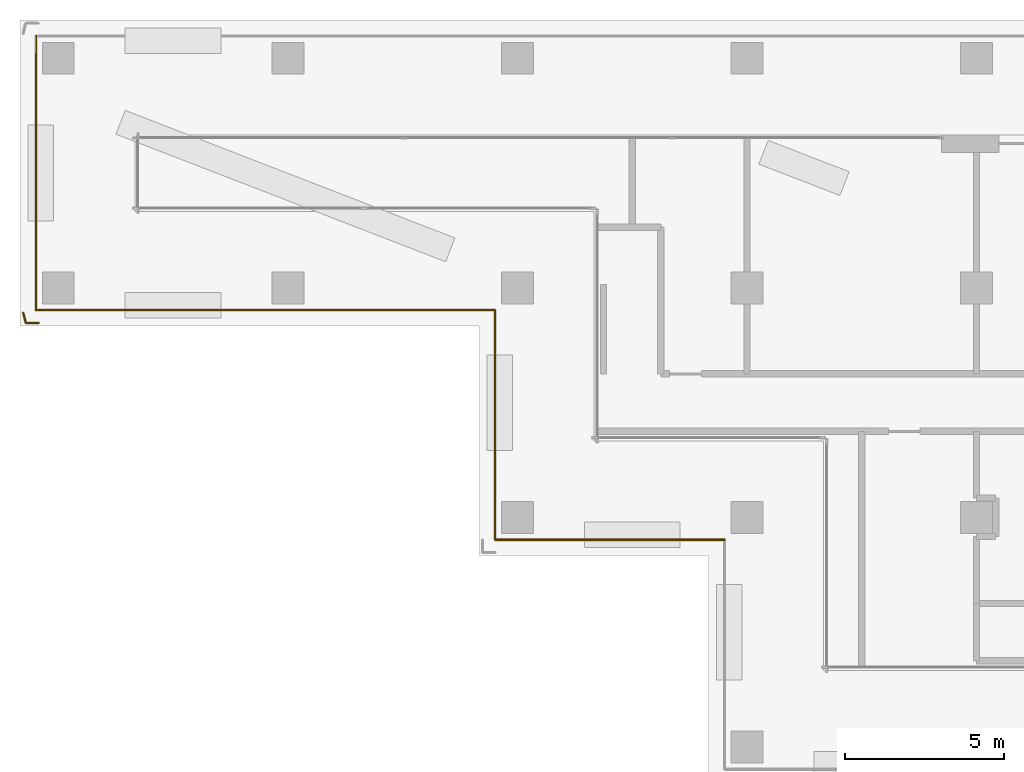
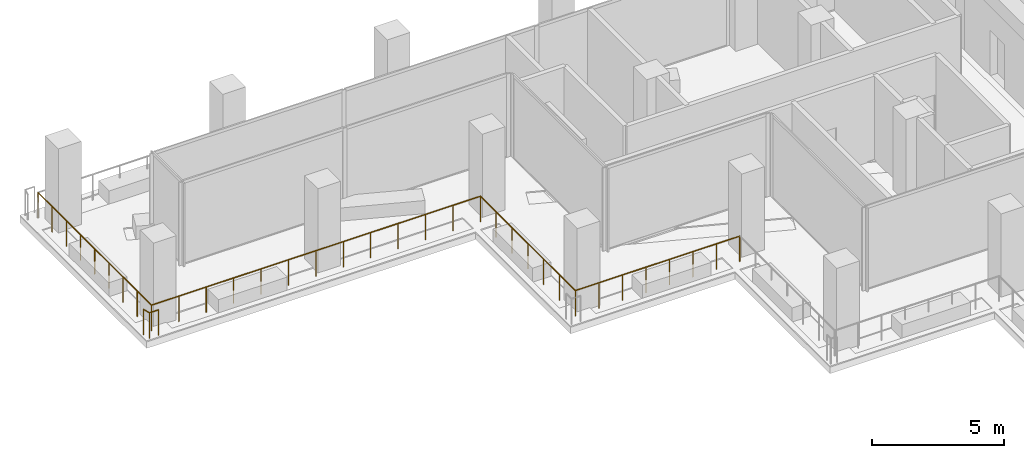
# One storey, part 15 of 21: 6 railings.
"""IFC4 building model written with IfcOpenShell, lengths in metres."""

from ifc_helpers import new_model, si_unit, direction, frame, origin, origin_2d, place, context, subcontext, project, spatial, circle, extrude, material, type_object, element, save


model = new_model("IFC4")

# Units and contexts
model_context = context("Model", 3, precision=1e-05, world=origin(), true_north=direction((0.0, 1.0)))
body_context = subcontext(model_context, "Body", "Model", "MODEL_VIEW")
ifc_project = project(units=[si_unit("LENGTHUNIT", "METRE"), si_unit("AREAUNIT", "SQUARE_METRE"), si_unit("VOLUMEUNIT", "CUBIC_METRE"), si_unit("PLANEANGLEUNIT", "RADIAN"), si_unit("MASSUNIT", "GRAM", prefix="KILO")], contexts=[model_context])

# Site, building, storey
site_placement = place(None, origin())
site = spatial("IfcSite", under=ifc_project, at=site_placement, CompositionType="ELEMENT")
building_placement = place(site_placement, origin())
building = spatial("IfcBuilding", under=site, at=building_placement, Name="Windrow Commons", CompositionType="ELEMENT")
storey_placement = place(building_placement, frame((0.0, 0.0, 131.2)))
storey = spatial("IfcBuildingStorey", under=building, at=storey_placement, Name="L35", CompositionType="ELEMENT", Elevation=131.2)

# Railings
ifc_material = material(Name="Stainless steel S316 balustrade with toughened glass infill", Category="steel")
railing_type = type_object("IfcRailingType", Name="Terrace guard 1200 podium", PredefinedType="BALUSTRADE", material=ifc_material)
railing_1_placement = place(storey_placement, frame((42.5, 56.9, 0.05)))
element("IfcRailing", 1, at=railing_1_placement, inside=storey, type_object=railing_type, Name="Guard TR-L35-1.E5", PredefinedType="BALUSTRADE", context=body_context, shape_type="SweptSolid", body=[
    extrude(circle(Radius=0.025, at=origin_2d()), frame((0.0, 0.0, 1.175), z_axis=(-1.0, 0.0, 0.0), x_axis=(0.0, -1.0, 0.0)), (0.0, 0.0, 1.0), 7.2),
    extrude(circle(Radius=0.02, at=origin_2d()), origin(), (0.0, 0.0, 1.0), 1.15),
    extrude(circle(Radius=0.02, at=origin_2d()), frame((-1.0286, 0.0, 0.0)), (0.0, 0.0, 1.0), 1.15),
    extrude(circle(Radius=0.02, at=origin_2d()), frame((-2.0571, 0.0, 0.0)), (0.0, 0.0, 1.0), 1.15),
    extrude(circle(Radius=0.02, at=origin_2d()), frame((-3.0857, 0.0, 0.0)), (0.0, 0.0, 1.0), 1.15),
    extrude(circle(Radius=0.02, at=origin_2d()), frame((-4.1143, 0.0, 0.0)), (0.0, 0.0, 1.0), 1.15),
    extrude(circle(Radius=0.02, at=origin_2d()), frame((-5.1429, 0.0, 0.0)), (0.0, 0.0, 1.0), 1.15),
    extrude(circle(Radius=0.02, at=origin_2d()), frame((-6.1714, 0.0, 0.0)), (0.0, 0.0, 1.0), 1.15),
    extrude(circle(Radius=0.02, at=origin_2d()), frame((-7.2, 0.0, 0.0)), (0.0, 0.0, 1.0), 1.15),
])
railing_2_placement = place(storey_placement, frame((35.3, 56.9, 0.05)))
element("IfcRailing", 2, at=railing_2_placement, inside=storey, type_object=railing_type, Name="Guard TR-L35-1.E6", PredefinedType="BALUSTRADE", context=body_context, shape_type="SweptSolid", body=[
    extrude(circle(Radius=0.025, at=origin_2d()), frame((0.0, 0.0, 1.175), z_axis=(0.0, 1.0, 0.0), x_axis=(-1.0, 0.0, 0.0)), (0.0, 0.0, 1.0), 7.2),
    extrude(circle(Radius=0.02, at=origin_2d()), origin(), (0.0, 0.0, 1.0), 1.15),
    extrude(circle(Radius=0.02, at=origin_2d()), frame((0.0, 1.2, 0.0)), (0.0, 0.0, 1.0), 1.15),
    extrude(circle(Radius=0.02, at=origin_2d()), frame((0.0, 2.4, 0.0)), (0.0, 0.0, 1.0), 1.15),
    extrude(circle(Radius=0.02, at=origin_2d()), frame((0.0, 3.6, 0.0)), (0.0, 0.0, 1.0), 1.15),
    extrude(circle(Radius=0.02, at=origin_2d()), frame((0.0, 4.8, 0.0)), (0.0, 0.0, 1.0), 1.15),
    extrude(circle(Radius=0.02, at=origin_2d()), frame((0.0, 6.0, 0.0)), (0.0, 0.0, 1.0), 1.15),
    extrude(circle(Radius=0.02, at=origin_2d()), frame((0.0, 7.2, 0.0)), (0.0, 0.0, 1.0), 1.15),
])
railing_3_placement = place(storey_placement, frame((35.3, 64.1, 0.05)))
element("IfcRailing", 3, at=railing_3_placement, inside=storey, type_object=railing_type, Name="Guard TR-L35-1.E7", PredefinedType="BALUSTRADE", context=body_context, shape_type="SweptSolid", body=[
    extrude(circle(Radius=0.025, at=origin_2d()), frame((0.0, 0.0, 1.175), z_axis=(-1.0, 0.0, 0.0), x_axis=(0.0, -1.0, 0.0)), (0.0, 0.0, 1.0), 14.4),
    extrude(circle(Radius=0.02, at=origin_2d()), origin(), (0.0, 0.0, 1.0), 1.15),
    extrude(circle(Radius=0.02, at=origin_2d()), frame((-1.2, 0.0, 0.0)), (0.0, 0.0, 1.0), 1.15),
    extrude(circle(Radius=0.02, at=origin_2d()), frame((-2.4, 0.0, 0.0)), (0.0, 0.0, 1.0), 1.15),
    extrude(circle(Radius=0.02, at=origin_2d()), frame((-3.6, 0.0, 0.0)), (0.0, 0.0, 1.0), 1.15),
    extrude(circle(Radius=0.02, at=origin_2d()), frame((-4.8, 0.0, 0.0)), (0.0, 0.0, 1.0), 1.15),
    extrude(circle(Radius=0.02, at=origin_2d()), frame((-6.0, 0.0, 0.0)), (0.0, 0.0, 1.0), 1.15),
    extrude(circle(Radius=0.02, at=origin_2d()), frame((-7.2, 0.0, 0.0)), (0.0, 0.0, 1.0), 1.15),
    extrude(circle(Radius=0.02, at=origin_2d()), frame((-8.4, 0.0, 0.0)), (0.0, 0.0, 1.0), 1.15),
    extrude(circle(Radius=0.02, at=origin_2d()), frame((-9.6, 0.0, 0.0)), (0.0, 0.0, 1.0), 1.15),
    extrude(circle(Radius=0.02, at=origin_2d()), frame((-10.8, 0.0, 0.0)), (0.0, 0.0, 1.0), 1.15),
    extrude(circle(Radius=0.02, at=origin_2d()), frame((-12.0, 0.0, 0.0)), (0.0, 0.0, 1.0), 1.15),
    extrude(circle(Radius=0.02, at=origin_2d()), frame((-13.2, 0.0, 0.0)), (0.0, 0.0, 1.0), 1.15),
    extrude(circle(Radius=0.02, at=origin_2d()), frame((-14.4, 0.0, 0.0)), (0.0, 0.0, 1.0), 1.15),
])
railing_4_placement = place(storey_placement, frame((20.9, 64.1, 0.05)))
element("IfcRailing", 4, at=railing_4_placement, inside=storey, type_object=railing_type, Name="Guard TR-L35-1.E8", PredefinedType="BALUSTRADE", context=body_context, shape_type="SweptSolid", body=[
    extrude(circle(Radius=0.025, at=origin_2d()), frame((0.0, 0.0, 1.175), z_axis=(0.0, 1.0, 0.0), x_axis=(-1.0, 0.0, 0.0)), (0.0, 0.0, 1.0), 8.6),
    extrude(circle(Radius=0.02, at=origin_2d()), origin(), (0.0, 0.0, 1.0), 1.15),
    extrude(circle(Radius=0.02, at=origin_2d()), frame((0.0, 1.075, 0.0)), (0.0, 0.0, 1.0), 1.15),
    extrude(circle(Radius=0.02, at=origin_2d()), frame((0.0, 2.15, 0.0)), (0.0, 0.0, 1.0), 1.15),
    extrude(circle(Radius=0.02, at=origin_2d()), frame((0.0, 3.225, 0.0)), (0.0, 0.0, 1.0), 1.15),
    extrude(circle(Radius=0.02, at=origin_2d()), frame((0.0, 4.3, 0.0)), (0.0, 0.0, 1.0), 1.15),
    extrude(circle(Radius=0.02, at=origin_2d()), frame((0.0, 5.375, 0.0)), (0.0, 0.0, 1.0), 1.15),
    extrude(circle(Radius=0.02, at=origin_2d()), frame((0.0, 6.45, 0.0)), (0.0, 0.0, 1.0), 1.15),
    extrude(circle(Radius=0.02, at=origin_2d()), frame((0.0, 7.525, 0.0)), (0.0, 0.0, 1.0), 1.15),
    extrude(circle(Radius=0.02, at=origin_2d()), frame((0.0, 8.6, 0.0)), (0.0, 0.0, 1.0), 1.15),
])
railing_5_placement = place(storey_placement, frame((20.9838, 63.7, 0.05)))
element("IfcRailing", 5, at=railing_5_placement, inside=storey, type_object=railing_type, Name="Guard TR-L35-1.C159", PredefinedType="BALUSTRADE", context=body_context, shape_type="SweptSolid", body=[
    extrude(circle(Radius=0.025, at=origin_2d()), frame((0.0, 0.0, 1.175), z_axis=(-1.0, 0.0, 0.0), x_axis=(0.0, -1.0, 0.0)), (0.0, 0.0, 1.0), 0.4005),
    extrude(circle(Radius=0.02, at=origin_2d()), origin(), (0.0, 0.0, 1.0), 1.15),
    extrude(circle(Radius=0.02, at=origin_2d()), frame((-0.4005, 0.0, 0.0)), (0.0, 0.0, 1.0), 1.15),
])
railing_6_placement = place(storey_placement, frame((20.5833, 63.7, 0.05)))
element("IfcRailing", 6, at=railing_6_placement, inside=storey, type_object=railing_type, Name="Guard TR-L35-1.C160", PredefinedType="BALUSTRADE", context=body_context, shape_type="SweptSolid", body=[
    extrude(circle(Radius=0.025, at=origin_2d()), frame((0.0, 0.0, 1.175), z_axis=(-0.2539979692, 0.9672047517, 0.0), x_axis=(-0.9672047517, -0.2539979692, 0.0)), (0.0, 0.0, 1.0), 0.328),
    extrude(circle(Radius=0.02, at=origin_2d()), origin(), (0.0, 0.0, 1.0), 1.15),
    extrude(circle(Radius=0.02, at=origin_2d()), frame((-0.0833, 0.3172, 0.0)), (0.0, 0.0, 1.0), 1.15),
])

save(model, "model.ifc")
